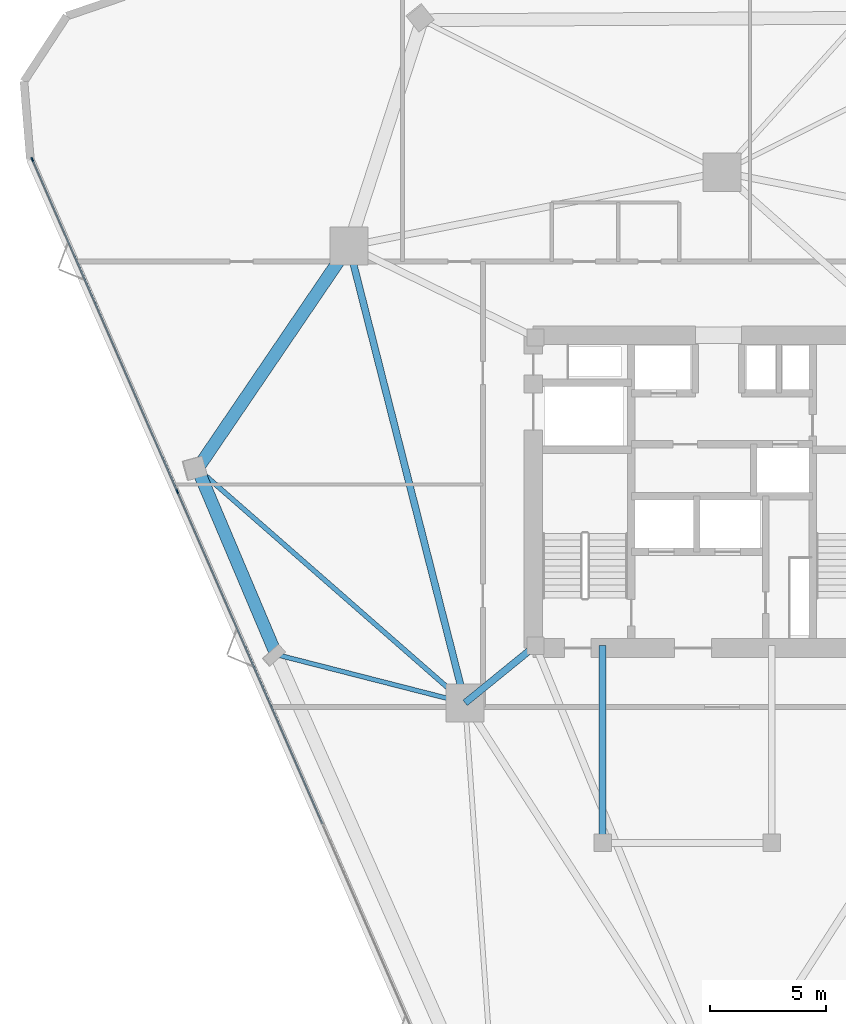
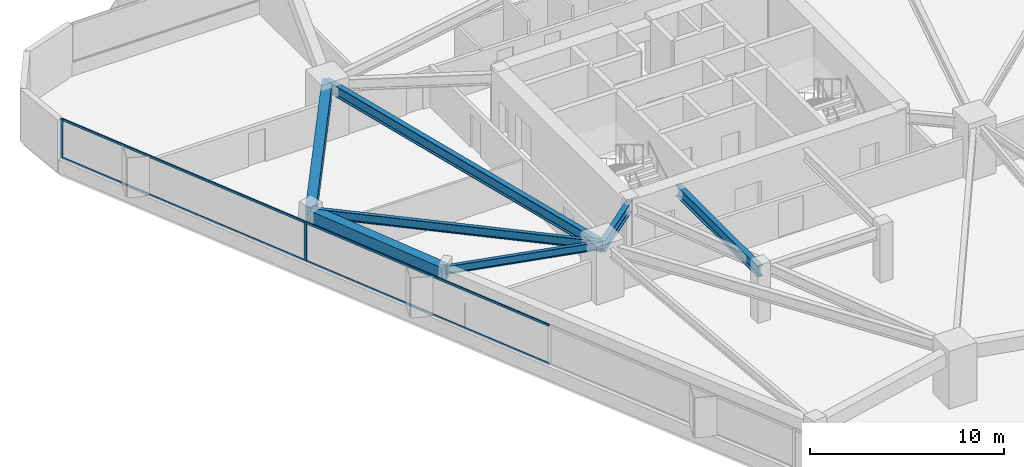
# One storey, part 4 of 14: 7 beams, 6 members, 1 element without a shape of its own.
"""IFC4 building model written with IfcOpenShell, lengths in metres."""

from ifc_helpers import new_model, si_unit, direction, frame, origin, origin_2d, place, context, subcontext, project, spatial, rectangle, i_section, extrude, material, layer, layer_set, material_profile, profile_set, type_object, element, aggregate, save


model = new_model("IFC4")

# Units and contexts
model_context = context("Model", 3, precision=1e-05, world=origin(), true_north=direction((0.0, 1.0)))
body_context = subcontext(model_context, "Body", "Model", "MODEL_VIEW")
ifc_project = project(units=[si_unit("LENGTHUNIT", "METRE"), si_unit("AREAUNIT", "SQUARE_METRE"), si_unit("VOLUMEUNIT", "CUBIC_METRE"), si_unit("PLANEANGLEUNIT", "RADIAN"), si_unit("MASSUNIT", "GRAM", prefix="KILO")], contexts=[model_context])

# Site, building, storey
site_placement = place(None, origin())
site = spatial("IfcSite", under=ifc_project, at=site_placement, CompositionType="ELEMENT")
building_placement = place(site_placement, origin())
building = spatial("IfcBuilding", under=site, at=building_placement, Name="Talyreon Biosciences Tower", CompositionType="ELEMENT")
storey_placement = place(building_placement, frame((0.0, 0.0, 115.14990234375)))
storey = spatial("IfcBuildingStorey", under=building, at=storey_placement, Name="L30", CompositionType="ELEMENT", Elevation=115.14990234375)

# Curtain wall, members
ifc_material_1 = material(Name="Thermally broken aluminium and low-E glazing", Category="aluminium")
ifc_layer = layer(ifc_material_1, 0.18994140625)
ifc_layer_set = layer_set([ifc_layer], Name="Thermally broken aluminium and low-E glazing")
curtain_wall_type = type_object("IfcCurtainWallType", Name="CurtainWall_Zone2Genomics", PredefinedType="NOTDEFINED", material=ifc_layer_set)
curtain_wall_placement = place(storey_placement, origin())
curtain_wall = element("IfcCurtainWall", 1, at=curtain_wall_placement, inside=storey, type_object=curtain_wall_type, Name="L30 Unitised Curtain Wall FCW-L30-00", PredefinedType="NOTDEFINED")
ifc_material_2 = material(Name="Anodised thermally broken aluminium", Category="aluminium")
ifc_material_profile_1 = material_profile(ifc_material_2, rectangle(XDim=0.06494140625, YDim=0.179931640625, at=origin_2d()), Name="ALUM MULLION 65x180")
ifc_profile_set_1 = profile_set([ifc_material_profile_1], Name="Anodised thermally broken aluminium")
member_type_1 = type_object("IfcMemberType", Name="CWMullion_65x180", PredefinedType="MULLION", material=ifc_profile_set_1)
member_1_placement = place(storey_placement, frame((42.49169921875, 68.009033203125, 0.81005859375), z_axis=(0.0, 0.0, 1.0), x_axis=(-0.916416470178, -0.400226002637, 0.0)))
member_1 = element("IfcMember", 2, at=member_1_placement, type_object=member_type_1, Name="CW3 mullion 4", PredefinedType="MULLION", context=body_context, shape_type="SweptSolid", body=[
    extrude(rectangle(XDim=0.06494140625, YDim=0.179931640625, at=origin_2d()), origin(), (0.0, 0.0, 1.0), 2.489990234375),
])
member_2_placement = place(storey_placement, frame((36.232421875, 82.3408203125, 0.81005859375), z_axis=(0.0, 0.0, 1.0), x_axis=(-0.916416470178, -0.400226002637, 0.0)))
member_2 = element("IfcMember", 3, at=member_2_placement, type_object=member_type_1, Name="CW3 mullion 5", PredefinedType="MULLION", context=body_context, shape_type="SweptSolid", body=[
    extrude(rectangle(XDim=0.06494140625, YDim=0.179931640625, at=origin_2d()), origin(), (0.0, 0.0, 1.0), 2.489990234375),
])
ifc_material_profile_2 = material_profile(ifc_material_2, rectangle(XDim=0.06494140625, YDim=0.139892578125, at=origin_2d()), Name="ALUM TRANSOM 65x140")
ifc_profile_set_2 = profile_set([ifc_material_profile_2], Name="Anodised thermally broken aluminium")
member_type_2 = type_object("IfcMemberType", Name="CWTransom_65x140", PredefinedType="USERDEFINED", material=ifc_profile_set_2)
member_3_placement = place(storey_placement, frame((48.750732421875, 53.67724609375, 0.842529296875), z_axis=(-0.400225422207, 0.916416723668, 0.0), x_axis=(-0.916416723668, -0.400225422207, 0.0)))
member_3 = element("IfcMember", 4, at=member_3_placement, type_object=member_type_2, Name="CW3 transom 3.1", ObjectType="TRANSOM", PredefinedType="USERDEFINED", context=body_context, shape_type="SweptSolid", body=[
    extrude(rectangle(XDim=0.06494140625, YDim=0.139892578125, at=origin_2d()), origin(), (0.0, 0.0, 1.0), 15.6064453125),
])
member_4_placement = place(storey_placement, frame((48.750732421875, 53.67724609375, 3.267578125), z_axis=(-0.400225422207, 0.916416723668, 0.0), x_axis=(-0.916416723668, -0.400225422207, 0.0)))
member_4 = element("IfcMember", 5, at=member_4_placement, type_object=member_type_2, Name="CW3 transom 3.2", ObjectType="TRANSOM", PredefinedType="USERDEFINED", context=body_context, shape_type="SweptSolid", body=[
    extrude(rectangle(XDim=0.06494140625, YDim=0.139892578125, at=origin_2d()), origin(), (0.0, 0.0, 1.0), 15.6064453125),
])
member_5_placement = place(storey_placement, frame((42.478515625, 68.038818359375, 0.842529296875), z_axis=(-0.400215954954, 0.916420858231, 0.0), x_axis=(-0.916420858231, -0.400215954954, 0.0)))
member_5 = element("IfcMember", 6, at=member_5_placement, type_object=member_type_2, Name="CW3 transom 4.1", ObjectType="TRANSOM", PredefinedType="USERDEFINED", context=body_context, shape_type="SweptSolid", body=[
    extrude(rectangle(XDim=0.06494140625, YDim=0.139892578125, at=origin_2d()), origin(), (0.0, 0.0, 1.0), 15.573974609375),
])
member_6_placement = place(storey_placement, frame((42.478515625, 68.038818359375, 3.267578125), z_axis=(-0.400215954954, 0.916420858231, 0.0), x_axis=(-0.916420858231, -0.400215954954, 0.0)))
member_6 = element("IfcMember", 7, at=member_6_placement, type_object=member_type_2, Name="CW3 transom 4.2", ObjectType="TRANSOM", PredefinedType="USERDEFINED", context=body_context, shape_type="SweptSolid", body=[
    extrude(rectangle(XDim=0.06494140625, YDim=0.139892578125, at=origin_2d()), origin(), (0.0, 0.0, 1.0), 15.573974609375),
])
aggregate(curtain_wall, [member_1, member_2, member_3, member_4, member_5, member_6])

# Beams
ifc_material_3 = material(Name="Precast concrete C45/55", Category="concrete")
ifc_material_profile_3 = material_profile(ifc_material_3, rectangle(XDim=0.550048828125, YDim=0.85009765625, at=origin_2d()), Name="RCB 550x850")
ifc_profile_set_3 = profile_set([ifc_material_profile_3], Name="Precast concrete C45/55")
beam_type_1 = type_object("IfcBeamType", Name="ExpressedSpandrel_550x850", PredefinedType="SPANDREL", material=ifc_profile_set_3)
beam_1_placement = place(storey_placement, frame((49.897705078125, 78.5986328125, 2.875), z_axis=(-0.562319217619, -0.826920248571, 0.0), x_axis=(0.826920248571, -0.562319217619, 0.0)))
element("IfcBeam", 8, at=beam_1_placement, inside=storey, type_object=beam_type_1, Name="L30 Expressed Horizontal Concrete Spandrel 09", PredefinedType="SPANDREL", context=body_context, shape_type="SweptSolid", body=[
    extrude(rectangle(XDim=0.550048828125, YDim=0.85009765625, at=origin_2d()), origin(), (0.0, 0.0, 1.0), 11.618408203125),
])
beam_2_placement = place(storey_placement, frame((43.364501953125, 68.9912109375, 2.875), z_axis=(0.38961622138, -0.920977307015, 0.0), x_axis=(0.920977307015, 0.38961622138, 0.0)))
element("IfcBeam", 9, at=beam_2_placement, inside=storey, type_object=beam_type_1, Name="L30 Expressed Horizontal Concrete Spandrel 10", PredefinedType="SPANDREL", context=body_context, shape_type="SweptSolid", body=[
    extrude(rectangle(XDim=0.550048828125, YDim=0.85009765625, at=origin_2d()), origin(), (0.0, 0.0, 1.0), 8.7119140625),
])
ifc_material_4 = material(Name="Steel SM355", Category="steel")
ifc_material_profile_4 = material_profile(ifc_material_4, i_section(OverallWidth=0.300048828125, OverallDepth=0.699951171875, WebThickness=0.01708984375, FlangeThickness=0.031982421875, FilletRadius=0.027099609375, at=origin_2d()), Name="HE700B")
ifc_profile_set_4 = profile_set([ifc_material_profile_4], Name="Steel SM355")
beam_type_2 = type_object("IfcBeamType", Name="SteelGirder_HE700B", PredefinedType="BEAM", material=ifc_profile_set_4)
beam_3_placement = place(storey_placement, frame((49.897705078125, 78.5986328125, 2.9501953125), z_axis=(0.246537082299, -0.969133358755, 0.0), x_axis=(0.969133358755, 0.246537082299, 0.0)))
element("IfcBeam", 10, at=beam_3_placement, inside=storey, type_object=beam_type_2, Name="L30 Mega-Ring Girder 5", PredefinedType="BEAM", context=body_context, shape_type="SweptSolid", body=[
    extrude(i_section(OverallWidth=0.300048828125, OverallDepth=0.699951171875, WebThickness=0.01708984375, FlangeThickness=0.031982421875, FilletRadius=0.027099609375, at=origin_2d()), origin(), (0.0, 0.0, 1.0), 20.34619140625),
])
beam_4_placement = place(storey_placement, frame((57.949951171875, 61.35009765625, 2.9501953125), z_axis=(-0.775755154013, -0.631034025249, 0.0), x_axis=(0.631034025249, -0.775755154013, 0.0)))
element("IfcBeam", 11, at=beam_4_placement, inside=storey, type_object=beam_type_2, Name="L30 Radial Primary Girder 6", PredefinedType="BEAM", context=body_context, shape_type="SweptSolid", body=[
    extrude(i_section(OverallWidth=0.300048828125, OverallDepth=0.699951171875, WebThickness=0.01708984375, FlangeThickness=0.031982421875, FilletRadius=0.027099609375, at=origin_2d()), origin(), (0.0, 0.0, 1.0), 3.913818359375),
])
beam_5_placement = place(storey_placement, frame((60.85009765625, 52.840087890625, 2.9501953125), z_axis=(0.0, 1.0, 0.0), x_axis=(-1.0, 0.0, 0.0)))
element("IfcBeam", 12, at=beam_5_placement, inside=storey, type_object=beam_type_2, Name="L30 Crown Shaft Tie Girder W", PredefinedType="BEAM", context=body_context, shape_type="SweptSolid", body=[
    extrude(i_section(OverallWidth=0.300048828125, OverallDepth=0.699951171875, WebThickness=0.01708984375, FlangeThickness=0.031982421875, FilletRadius=0.027099609375, at=origin_2d()), origin(), (0.0, 0.0, 1.0), 8.510009765625),
])
ifc_material_profile_5 = material_profile(ifc_material_4, i_section(OverallWidth=0.199951171875, OverallDepth=0.5, WebThickness=0.01025390625, FlangeThickness=0.01611328125, FilletRadius=0.02099609375, at=origin_2d()), Name="IPE500")
ifc_profile_set_5 = profile_set([ifc_material_profile_5], Name="Steel SM355")
beam_type_3 = type_object("IfcBeamType", Name="SteelJoist_IPE500", PredefinedType="JOIST", material=ifc_profile_set_5)
beam_6_placement = place(storey_placement, frame((54.913818359375, 58.88037109375, 3.050048828125), z_axis=(-0.968767553238, 0.247970618812, 0.0), x_axis=(-0.247970618812, -0.968767553238, 0.0)))
element("IfcBeam", 13, at=beam_6_placement, inside=storey, type_object=beam_type_3, Name="L30 Radial Composite Floor Joist PL-SW", PredefinedType="JOIST", context=body_context, shape_type="SweptSolid", body=[
    extrude(i_section(OverallWidth=0.199951171875, OverallDepth=0.5, WebThickness=0.01025390625, FlangeThickness=0.01611328125, FilletRadius=0.02099609375, at=origin_2d()), origin(), (0.0, 0.0, 1.0), 8.41796875),
])
ifc_material_profile_6 = material_profile(ifc_material_4, i_section(OverallWidth=0.2099609375, OverallDepth=0.550048828125, WebThickness=0.010986328125, FlangeThickness=0.01708984375, FilletRadius=0.02392578125, at=origin_2d()), Name="IPE550")
ifc_profile_set_6 = profile_set([ifc_material_profile_6], Name="Steel SM355")
beam_type_4 = type_object("IfcBeamType", Name="SteelJoist_IPE550", PredefinedType="JOIST", material=ifc_profile_set_6)
beam_7_placement = place(storey_placement, frame((54.913818359375, 58.88037109375, 3.025146484375), z_axis=(-0.752409173616, 0.658696011418, 0.0), x_axis=(-0.658696011418, -0.752409173616, 0.0)))
element("IfcBeam", 14, at=beam_7_placement, inside=storey, type_object=beam_type_4, Name="L30 Radial Composite Floor Joist PC-SW1", PredefinedType="JOIST", context=body_context, shape_type="SweptSolid", body=[
    extrude(i_section(OverallWidth=0.2099609375, OverallDepth=0.550048828125, WebThickness=0.010986328125, FlangeThickness=0.01708984375, FilletRadius=0.02392578125, at=origin_2d()), origin(), (0.0, 0.0, 1.0), 15.349853515625),
])

save(model, "model.ifc")
